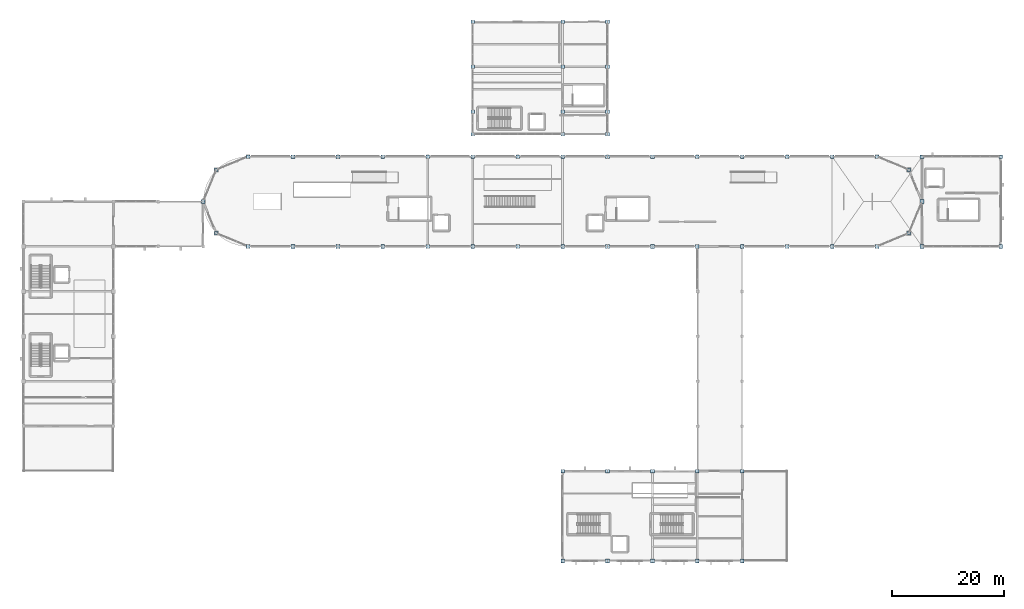
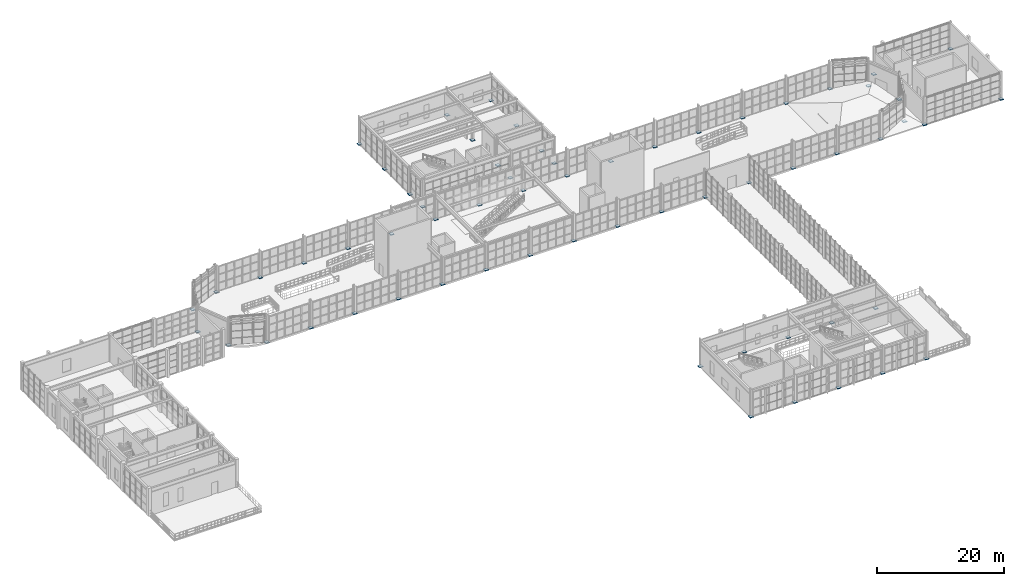
# One storey, part 64 of 82: 62 plates.
"""IFC4 building model written with IfcOpenShell, lengths in metres."""

from ifc_helpers import new_model, si_unit, direction, frame, origin, origin_2d, place, context, subcontext, project, spatial, rectangle, extrude, material, layer, layer_set, type_object, element, save


model = new_model("IFC4")

# Units and contexts
model_context = context("Model", 3, precision=1e-05, world=origin(), true_north=direction((0.0, 1.0)))
body_context = subcontext(model_context, "Body", "Model", "MODEL_VIEW")
ifc_project = project(units=[si_unit("LENGTHUNIT", "METRE"), si_unit("AREAUNIT", "SQUARE_METRE"), si_unit("VOLUMEUNIT", "CUBIC_METRE"), si_unit("PLANEANGLEUNIT", "RADIAN"), si_unit("MASSUNIT", "GRAM", prefix="KILO")], contexts=[model_context])

# Site, building, storey
site_placement = place(None, origin())
site = spatial("IfcSite", under=ifc_project, at=site_placement, CompositionType="ELEMENT")
building_placement = place(site_placement, origin())
building = spatial("IfcBuilding", under=site, at=building_placement, Name="Serraluz Foothill Cableway Terminal", CompositionType="ELEMENT")
storey_placement = place(building_placement, frame((0.0, 0.0, 9.60009765625)))
storey = spatial("IfcBuildingStorey", under=building, at=storey_placement, Name="L02", CompositionType="ELEMENT", Elevation=9.60009765625)

# Plates
ifc_material = material(Name="Steel ASTM A572 Grade 50", Category="steel")
ifc_layer = layer(ifc_material, 0.050048828125, Name="Steel ASTM A572 Grade 50", Category="steel")
ifc_layer_set = layer_set([ifc_layer], Name="Steel ASTM A572 Grade 50")
plate_type = type_object("IfcPlateType", Name="TYP-PL-BAS-50", PredefinedType="USERDEFINED", material=ifc_layer_set)
for number, where, z_axis, x_axis, name in (
    (1, (40.0, 56.0, 0.0), (0.0, 0.0, 1.0), (1.0, 0.0, 0.0), "Column Base Plate BP-001"),
    (2, (40.0, 72.0, 0.0), (0.0, 0.0, 1.0), (1.0, 0.0, 0.0), "Column Base Plate BP-002"),
    (3, (48.0, 56.0, 0.0), (0.0, 0.0, 1.0), (1.0, 0.0, 0.0), "Column Base Plate BP-003"),
    (4, (48.0, 72.0, 0.0), (0.0, 0.0, 1.0), (1.0, 0.0, 0.0), "Column Base Plate BP-004"),
    (5, (56.0, 56.0, 0.0), (0.0, 0.0, 1.0), (1.0, 0.0, 0.0), "Column Base Plate BP-005"),
    (6, (56.0, 72.0, 0.0), (0.0, 0.0, 1.0), (1.0, 0.0, 0.0), "Column Base Plate BP-006"),
    (7, (64.0, 56.0, 0.0), (0.0, 0.0, 1.0), (1.0, 0.0, 0.0), "Column Base Plate BP-007"),
    (8, (64.0, 72.0, 0.0), (0.0, 0.0, 1.0), (1.0, 0.0, 0.0), "Column Base Plate BP-008"),
    (9, (72.0, 56.0, 0.0), (0.0, 0.0, 1.0), (1.0, 0.0, 0.0), "Column Base Plate BP-009"),
    (10, (72.0, 72.0, 0.0), (0.0, 0.0, 1.0), (1.0, 0.0, 0.0), "Column Base Plate BP-010"),
    (11, (80.0, 56.0, 0.0), (0.0, 0.0, 1.0), (1.0, 0.0, 0.0), "Column Base Plate BP-011"),
    (12, (80.0, 72.0, 0.0), (0.0, 0.0, 1.0), (1.0, 0.0, 0.0), "Column Base Plate BP-012"),
    (13, (88.0, 56.0, 0.0), (0.0, 0.0, 1.0), (1.0, 0.0, 0.0), "Column Base Plate BP-013"),
    (14, (88.0, 72.0, 0.0), (0.0, 0.0, 1.0), (1.0, 0.0, 0.0), "Column Base Plate BP-014"),
    (15, (96.0, 56.0, 0.0), (0.0, 0.0, 1.0), (1.0, 0.0, 0.0), "Column Base Plate BP-015"),
    (16, (96.0, 72.0, 0.0), (0.0, 0.0, 1.0), (1.0, 0.0, 0.0), "Column Base Plate BP-016"),
    (17, (104.0, 56.0, 0.0), (0.0, 0.0, 1.0), (1.0, 0.0, 0.0), "Column Base Plate BP-017"),
    (18, (104.0, 72.0, 0.0), (0.0, 0.0, 1.0), (1.0, 0.0, 0.0), "Column Base Plate BP-018"),
    (19, (112.0, 56.0, 0.0), (0.0, 0.0, 1.0), (1.0, 0.0, 0.0), "Column Base Plate BP-019"),
    (20, (112.0, 72.0, 0.0), (0.0, 0.0, 1.0), (1.0, 0.0, 0.0), "Column Base Plate BP-020"),
    (21, (120.0, 56.0, 0.0), (0.0, 0.0, 1.0), (1.0, 0.0, 0.0), "Column Base Plate BP-021"),
    (22, (120.0, 72.0, 0.0), (0.0, 0.0, 1.0), (1.0, 0.0, 0.0), "Column Base Plate BP-022"),
    (23, (128.0, 56.0, 0.0), (0.0, 0.0, 1.0), (1.0, 0.0, 0.0), "Column Base Plate BP-023"),
    (24, (128.0, 72.0, 0.0), (0.0, 0.0, 1.0), (1.0, 0.0, 0.0), "Column Base Plate BP-024"),
    (25, (136.0, 56.0, 0.0), (0.0, 0.0, 1.0), (1.0, 0.0, 0.0), "Column Base Plate BP-025"),
    (26, (136.0, 72.0, 0.0), (0.0, 0.0, 1.0), (1.0, 0.0, 0.0), "Column Base Plate BP-026"),
    (27, (144.0, 56.0, 0.0), (0.0, 0.0, 1.0), (1.0, 0.0, 0.0), "Column Base Plate BP-027"),
    (28, (144.0, 72.0, 0.0), (0.0, 0.0, 1.0), (1.0, 0.0, 0.0), "Column Base Plate BP-028"),
    (29, (152.0, 56.0, 0.0), (0.0, 0.0, 1.0), (1.0, 0.0, 0.0), "Column Base Plate BP-029"),
    (30, (152.0, 72.0, 0.0), (0.0, 0.0, 1.0), (1.0, 0.0, 0.0), "Column Base Plate BP-030"),
    (31, (34.343017578125, 58.343017578125, 0.0), (0.0, 0.0, 1.0), (1.0, 0.0, 0.0), "Column Base Plate BP-031"),
    (32, (32.0, 64.0, 0.0), (0.0, 0.0, 1.0), (1.0, 0.0, 0.0), "Column Base Plate BP-032"),
    (33, (34.343017578125, 69.656982421875, 0.0), (0.0, 0.0, 1.0), (1.0, 0.0, 0.0), "Column Base Plate BP-033"),
    (34, (157.656982421875, 58.343017578125, 0.0), (0.0, 0.0, 1.0), (1.0, 0.0, 0.0), "Column Base Plate BP-034"),
    (35, (160.0, 64.0, 0.0), (0.0, 0.0, 1.0), (1.0, 0.0, 0.0), "Column Base Plate BP-035"),
    (36, (157.656982421875, 69.656982421875, 0.0), (0.0, 0.0, 1.0), (1.0, 0.0, 0.0), "Column Base Plate BP-036"),
    (37, (160.0, 56.0, 0.0), (0.0, 0.0, 1.0), (1.0, 0.0, 0.0), "Column Base Plate BP-037"),
    (38, (160.0, 72.0, 0.0), (0.0, 0.0, 1.0), (1.0, 0.0, 0.0), "Column Base Plate BP-038"),
    (39, (174.0, 56.0, 0.0), (0.0, 0.0, 1.0), (1.0, 0.0, 0.0), "Column Base Plate BP-039"),
    (40, (174.0, 72.0, 0.0), (0.0, 0.0, 1.0), (1.0, 0.0, 0.0), "Column Base Plate BP-040"),
    (41, (96.0, 0.0, 0.0), (0.0, 0.0, 1.0), (1.0, 0.0, 0.0), "Column Base Plate BP-041"),
    (42, (96.0, 16.0, 0.0), (0.0, 0.0, 1.0), (1.0, 0.0, 0.0), "Column Base Plate BP-042"),
    (43, (104.0, 0.0, 0.0), (0.0, 0.0, 1.0), (1.0, 0.0, 0.0), "Column Base Plate BP-043"),
    (44, (104.0, 16.0, 0.0), (0.0, 0.0, 1.0), (1.0, 0.0, 0.0), "Column Base Plate BP-044"),
    (45, (112.0, 0.0, 0.0), (0.0, 0.0, 1.0), (1.0, 0.0, 0.0), "Column Base Plate BP-045"),
    (46, (112.0, 16.0, 0.0), (0.0, 0.0, 1.0), (1.0, 0.0, 0.0), "Column Base Plate BP-046"),
    (47, (120.0, 0.0, 0.0), (0.0, 0.0, 1.0), (1.0, 0.0, 0.0), "Column Base Plate BP-047"),
    (48, (120.0, 16.0, 0.0), (0.0, 0.0, 1.0), (1.0, 0.0, 0.0), "Column Base Plate BP-048"),
    (49, (128.0, 0.0, 0.0), (0.0, 0.0, 1.0), (1.0, 0.0, 0.0), "Column Base Plate BP-049"),
    (50, (128.0, 16.0, 0.0), (0.0, 0.0, 1.0), (1.0, 0.0, 0.0), "Column Base Plate BP-050"),
    (51, (80.0, 76.0, 0.0), (0.0, 0.0, 1.0), (1.0, 0.0, 0.0), "Column Base Plate BP-051"),
    (52, (80.0, 80.0, 0.0), (0.0, 0.0, 1.0), (1.0, 0.0, 0.0), "Column Base Plate BP-052"),
    (53, (80.0, 88.0, 0.0), (0.0, 0.0, 1.0), (1.0, 0.0, 0.0), "Column Base Plate BP-053"),
    (54, (80.0, 96.0, 0.0), (0.0, 0.0, 1.0), (1.0, 0.0, 0.0), "Column Base Plate BP-054"),
    (55, (96.0, 76.0, 0.0), (0.0, 0.0, 1.0), (1.0, 0.0, 0.0), "Column Base Plate BP-055"),
    (56, (96.0, 80.0, 0.0), (0.0, 0.0, 1.0), (1.0, 0.0, 0.0), "Column Base Plate BP-056"),
    (57, (96.0, 88.0, 0.0), (0.0, 0.0, 1.0), (1.0, 0.0, 0.0), "Column Base Plate BP-057"),
    (58, (96.0, 96.0, 0.0), (0.0, 0.0, 1.0), (1.0, 0.0, 0.0), "Column Base Plate BP-058"),
    (59, (104.0, 76.0, 0.0), (0.0, 0.0, 1.0), (1.0, 0.0, 0.0), "Column Base Plate BP-059"),
    (60, (104.0, 80.0, 0.0), (0.0, 0.0, 1.0), (1.0, 0.0, 0.0), "Column Base Plate BP-060"),
    (61, (104.0, 88.0, 0.0), (0.0, 0.0, 1.0), (1.0, 0.0, 0.0), "Column Base Plate BP-061"),
    (62, (104.0, 96.0, 0.0), (0.0, 0.0, 1.0), (1.0, 0.0, 0.0), "Column Base Plate BP-062"),
):
    element("IfcPlate", number, at=place(storey_placement, frame(where, z_axis=z_axis, x_axis=x_axis)), inside=storey, type_object=plate_type, Name=name, ObjectType="BASE_PLATE", PredefinedType="USERDEFINED", context=body_context, shape_type="SweptSolid", body=[
        extrude(rectangle(XDim=0.64990234375, YDim=0.64990234375, at=origin_2d()), origin(), (0.0, 0.0, 1.0), 0.050048828125),
    ])

save(model, "model.ifc")
